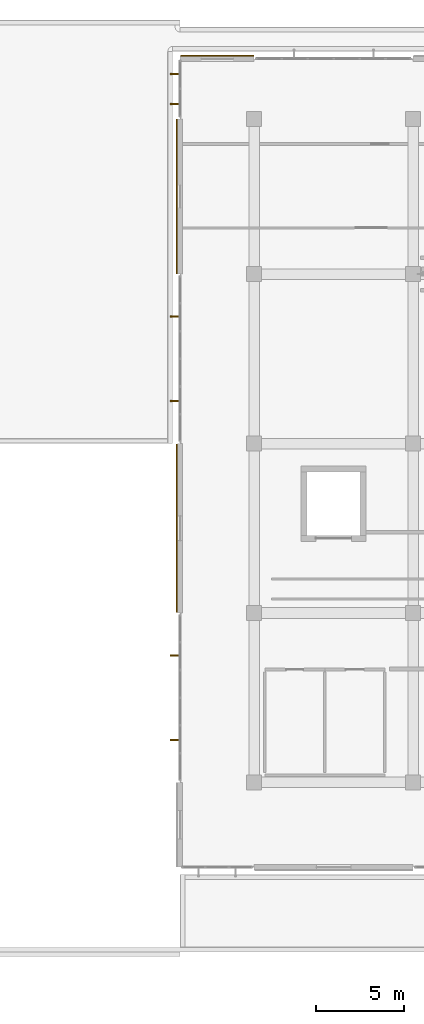
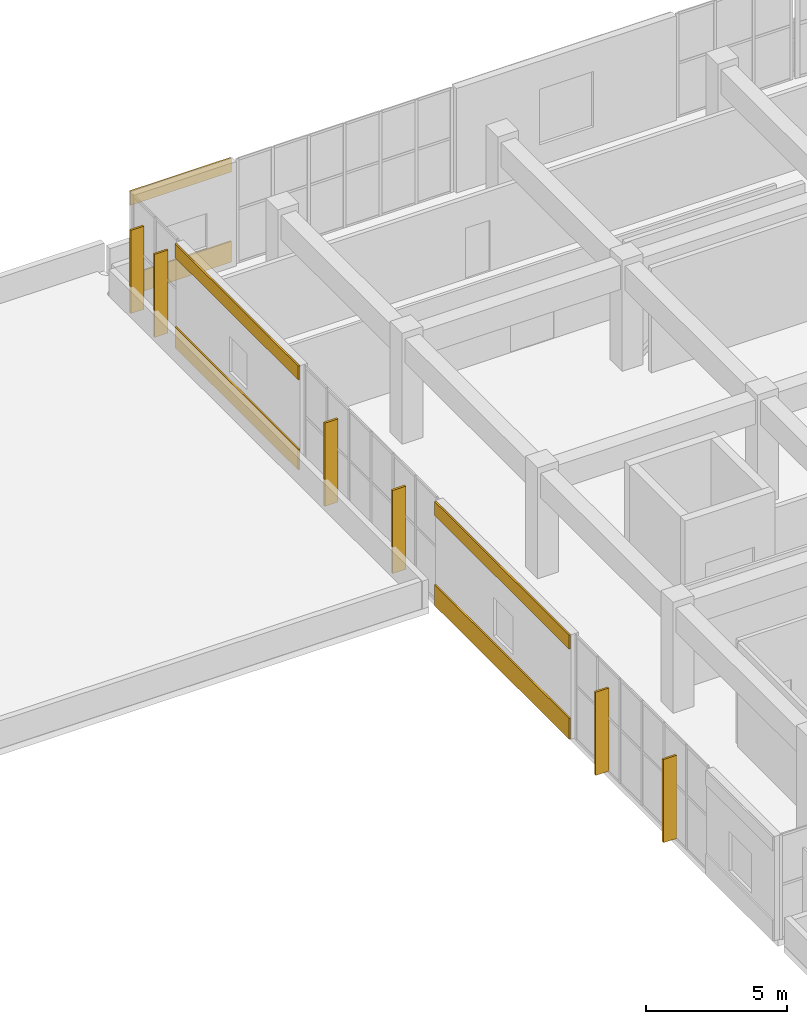
# One storey, part 63 of 67: 6 coverings, 6 shading devices.
"""IFC4 building model written with IfcOpenShell, lengths in metres."""

from ifc_helpers import new_model, si_unit, direction, frame, origin, origin_2d, place, context, subcontext, project, spatial, rectangle, extrude, material, layer, layer_set, type_object, element, save


model = new_model("IFC4")

# Units and contexts
model_context = context("Model", 3, precision=1e-05, world=origin(), true_north=direction((0.0, 1.0)))
body_context = subcontext(model_context, "Body", "Model", "MODEL_VIEW")
ifc_project = project(units=[si_unit("LENGTHUNIT", "METRE"), si_unit("AREAUNIT", "SQUARE_METRE"), si_unit("VOLUMEUNIT", "CUBIC_METRE"), si_unit("PLANEANGLEUNIT", "RADIAN"), si_unit("MASSUNIT", "GRAM", prefix="KILO")], contexts=[model_context])

# Site, building, storey
site_placement = place(None, origin())
site = spatial("IfcSite", under=ifc_project, at=site_placement, CompositionType="ELEMENT")
building_placement = place(site_placement, origin())
building = spatial("IfcBuilding", under=site, at=building_placement, Name="Cendralis Terraced Arcade", CompositionType="ELEMENT")
storey_placement = place(building_placement, frame((0.0, 0.0, 15.0)))
storey = spatial("IfcBuildingStorey", under=building, at=storey_placement, Name="L03", CompositionType="ELEMENT", Elevation=15.0)

# Coverings
ifc_material_1 = material(Name="Precast concrete f'c 40 MPa", Category="concrete")
ifc_layer = layer(ifc_material_1, 0.06494140625, Name="COV-CLAD-GRC-65")
ifc_layer_set = layer_set([ifc_layer], Name="Precast concrete f'c 40 MPa")
covering_type = type_object("IfcCoveringType", Name="COV-CLAD-GRC-65", PredefinedType="CLADDING", material=ifc_layer_set)
covering_1_placement = place(storey_placement, frame((125.820068359375, 84.0, 0.0), z_axis=(0.0, 0.0, 1.0), x_axis=(0.0, 1.0, 0.0)))
element("IfcCovering", 1, at=covering_1_placement, inside=storey, type_object=covering_type, Name="Banded Precast Stone Spandrel Cladding L03-341", PredefinedType="CLADDING", context=body_context, shape_type="SweptSolid", body=[
    extrude(rectangle(XDim=9.5400390625, YDim=0.06494140625, at=origin_2d()), origin(), (0.0, 0.0, 1.0), 0.89990234375),
])
covering_2_placement = place(storey_placement, frame((125.820068359375, 84.0, 3.89990234375), z_axis=(0.0, 0.0, 1.0), x_axis=(0.0, 1.0, 0.0)))
element("IfcCovering", 2, at=covering_2_placement, inside=storey, type_object=covering_type, Name="Banded Precast Stone Lintel Cladding L03-342", PredefinedType="CLADDING", context=body_context, shape_type="SweptSolid", body=[
    extrude(rectangle(XDim=9.5400390625, YDim=0.06494140625, at=origin_2d()), origin(), (0.0, 0.0, 1.0), 0.60009765625),
])
covering_3_placement = place(storey_placement, frame((125.820068359375, 102.800048828125, 0.0), z_axis=(0.0, 0.0, 1.0), x_axis=(0.0, 1.0, 0.0)))
element("IfcCovering", 3, at=covering_3_placement, inside=storey, type_object=covering_type, Name="Banded Precast Stone Spandrel Cladding L03-343", PredefinedType="CLADDING", context=body_context, shape_type="SweptSolid", body=[
    extrude(rectangle(XDim=8.739990234375, YDim=0.06494140625, at=origin_2d()), origin(), (0.0, 0.0, 1.0), 0.89990234375),
])
covering_4_placement = place(storey_placement, frame((125.820068359375, 102.800048828125, 3.89990234375), z_axis=(0.0, 0.0, 1.0), x_axis=(0.0, 1.0, 0.0)))
element("IfcCovering", 4, at=covering_4_placement, inside=storey, type_object=covering_type, Name="Banded Precast Stone Lintel Cladding L03-344", PredefinedType="CLADDING", context=body_context, shape_type="SweptSolid", body=[
    extrude(rectangle(XDim=8.739990234375, YDim=0.06494140625, at=origin_2d()), origin(), (0.0, 0.0, 1.0), 0.60009765625),
])
covering_5_placement = place(storey_placement, frame((128.10009765625, 110.780029296875, 0.0), z_axis=(0.0, 0.0, 1.0), x_axis=(1.0, 0.0, 0.0)))
element("IfcCovering", 5, at=covering_5_placement, inside=storey, type_object=covering_type, Name="Banded Precast Stone Spandrel Cladding L03-345", PredefinedType="CLADDING", context=body_context, shape_type="SweptSolid", body=[
    extrude(rectangle(XDim=4.139892578125, YDim=0.06494140625, at=origin_2d()), origin(), (0.0, 0.0, 1.0), 0.89990234375),
])
covering_6_placement = place(storey_placement, frame((128.10009765625, 110.780029296875, 3.89990234375), z_axis=(0.0, 0.0, 1.0), x_axis=(1.0, 0.0, 0.0)))
element("IfcCovering", 6, at=covering_6_placement, inside=storey, type_object=covering_type, Name="Banded Precast Stone Lintel Cladding L03-346", PredefinedType="CLADDING", context=body_context, shape_type="SweptSolid", body=[
    extrude(rectangle(XDim=4.139892578125, YDim=0.06494140625, at=origin_2d()), origin(), (0.0, 0.0, 1.0), 0.60009765625),
])

# Shading devices
ifc_material_2 = material(Name="Anodised aluminium EN AW-6063 T6", Category="aluminium")
shading_device_type = type_object("IfcShadingDeviceType", Name="SHD-FIN-550", PredefinedType="USERDEFINED", material=ifc_material_2)
for number, where, z_axis, x_axis, name in (
    (7, (125.719970703125, 72.0, 0.050048828125), (0.0, 0.0, 1.0), (0.0, 1.0, 0.0), "Parametric Vertical Solar Fin FIN-L03-099"),
    (8, (125.719970703125, 76.800048828125, 0.050048828125), (0.0, 0.0, 1.0), (0.0, 1.0, 0.0), "Parametric Vertical Solar Fin FIN-L03-100"),
    (9, (125.719970703125, 91.199951171875, 0.050048828125), (0.0, 0.0, 1.0), (0.0, 1.0, 0.0), "Parametric Vertical Solar Fin FIN-L03-101"),
    (10, (125.719970703125, 96.0, 0.050048828125), (0.0, 0.0, 1.0), (0.0, 1.0, 0.0), "Parametric Vertical Solar Fin FIN-L03-102"),
    (11, (125.719970703125, 108.050048828125, 0.050048828125), (0.0, 0.0, 1.0), (0.0, 1.0, 0.0), "Parametric Vertical Solar Fin FIN-L03-103"),
    (12, (125.719970703125, 109.75, 0.050048828125), (0.0, 0.0, 1.0), (0.0, 1.0, 0.0), "Parametric Vertical Solar Fin FIN-L03-104"),
):
    element("IfcShadingDevice", number, at=place(storey_placement, frame(where, z_axis=z_axis, x_axis=x_axis)), inside=storey, type_object=shading_device_type, Name=name, ObjectType="FIN", PredefinedType="USERDEFINED", context=body_context, shape_type="SweptSolid", body=[
        extrude(rectangle(XDim=0.0849609375, YDim=0.550048828125, at=origin_2d()), origin(), (0.0, 0.0, 1.0), 3.60009765625),
    ])

save(model, "model.ifc")
